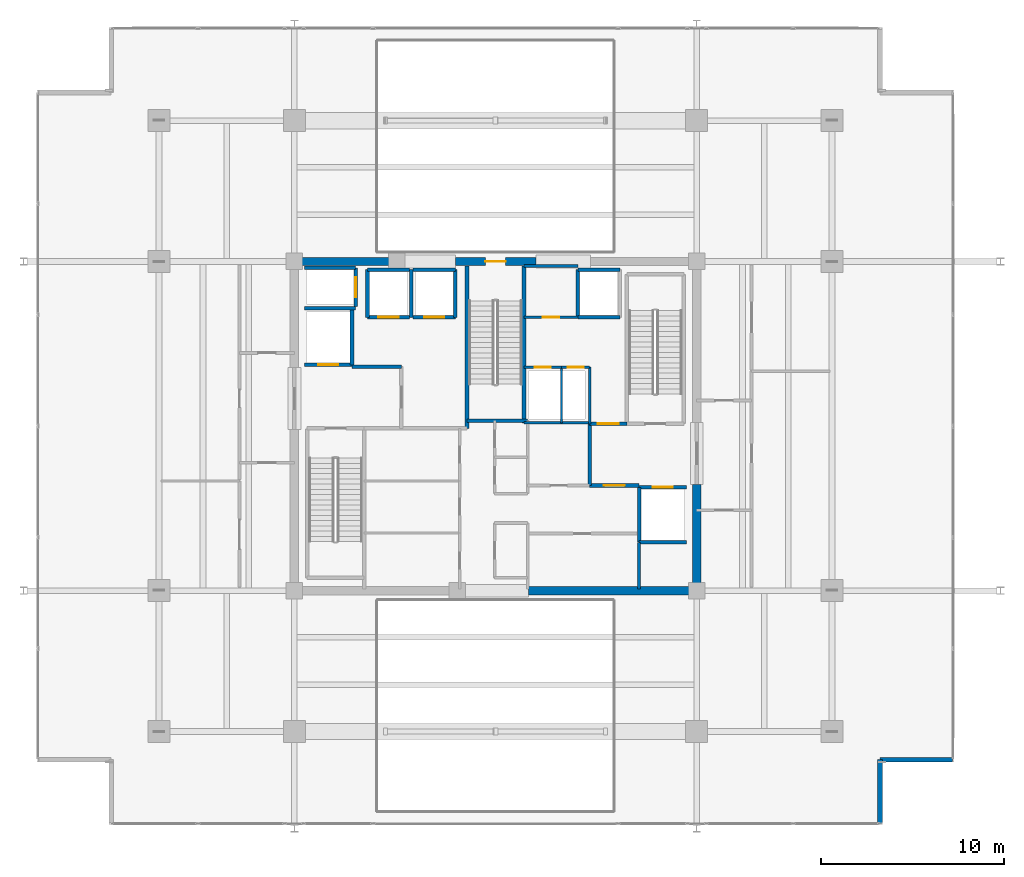
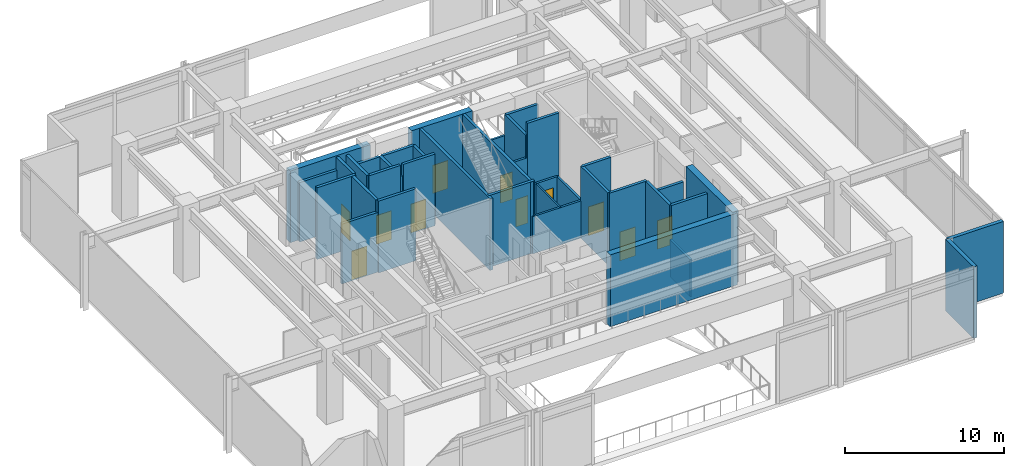
# One storey, part 22 of 25: 39 walls, 11 doors, 11 openings.
"""IFC4 building model written with IfcOpenShell, lengths in metres."""

from ifc_helpers import new_model, si_unit, direction, frame, frame_2d, origin, place, context, subcontext, project, spatial, rectangle, extrude, material, layer, layer_set, type_object, element, fill, save


model = new_model("IFC4")

# Units and contexts
model_context = context("Model", 3, precision=1e-05, world=origin(), true_north=direction((0.0, 1.0)))
body_context = subcontext(model_context, "Body", "Model", "MODEL_VIEW")
ifc_project = project(units=[si_unit("LENGTHUNIT", "METRE"), si_unit("AREAUNIT", "SQUARE_METRE"), si_unit("VOLUMEUNIT", "CUBIC_METRE"), si_unit("PLANEANGLEUNIT", "RADIAN"), si_unit("MASSUNIT", "GRAM", prefix="KILO")], contexts=[model_context])

# Site, building, storey
site_placement = place(None, origin())
site = spatial("IfcSite", under=ifc_project, at=site_placement, CompositionType="ELEMENT")
building_placement = place(site_placement, origin())
building = spatial("IfcBuilding", under=site, at=building_placement, Name="Kovane Verandah Tower", CompositionType="ELEMENT")
storey_placement = place(building_placement, frame((0.0, 0.0, 295.199951171875)))
storey = spatial("IfcBuildingStorey", under=building, at=storey_placement, Name="L69", CompositionType="ELEMENT", Elevation=295.199951171875)

# Walls
ifc_material_1 = material(Name="Fire-Rated Gypsum Stud Partition", Category="gypsum")
ifc_layer_1 = layer(ifc_material_1, 0.14990234375)
ifc_layer_set_1 = layer_set([ifc_layer_1], Name="Fire-Rated Gypsum Stud Partition")
wall_type_1 = type_object("IfcWallType", Name="WL-COR-150", PredefinedType="PARTITIONING", material=ifc_layer_set_1)
wall_1_placement = place(storey_placement, frame((41.56005859375, 27.679931640625, 0.0), z_axis=(0.0, 0.0, 1.0), x_axis=(1.0, 0.0, 0.0)))
element("IfcWall", 1, at=wall_1_placement, inside=storey, type_object=wall_type_1, Name="L69 East Core Service Riser South Wall", PredefinedType="PARTITIONING", context=body_context, shape_type="SweptSolid", body=[
    extrude(rectangle(XDim=3.58984375, YDim=0.14990234375, at=frame_2d((1.794921875, 0.0))), origin(), (0.0, 0.0, 1.0), 2.85009765625),
])
wall_2_placement = place(storey_placement, frame((47.85009765625, 18.60009765625, 0.0), z_axis=(0.0, 0.0, 1.0), x_axis=(0.0, 1.0, 0.0)))
element("IfcWall", 2, at=wall_2_placement, inside=storey, type_object=wall_type_1, Name="L69 East Core Support East Wall", PredefinedType="PARTITIONING", context=body_context, shape_type="SweptSolid", body=[
    extrude(rectangle(XDim=2.539794921875, YDim=0.14990234375, at=frame_2d((1.27001953125, 0.0))), origin(), (0.0, 0.0, 1.0), 2.85009765625),
])
wall_3_placement = place(storey_placement, frame((45.14990234375, 27.6201171875, 0.0), z_axis=(0.0, 0.0, 1.0), x_axis=(0.0, 1.0, 0.0)))
element("IfcWall", 3, at=wall_3_placement, inside=storey, type_object=wall_type_1, Name="L69 East Core Service Riser East Wall", PredefinedType="PARTITIONING", context=body_context, shape_type="SweptSolid", body=[
    extrude(rectangle(XDim=3.099853515625, YDim=0.14990234375, at=frame_2d((1.5498046875, 0.0))), origin(), (0.0, 0.0, 1.0), 2.85009765625),
])

# Wall, opening, door
wall_4_placement = place(storey_placement, frame((41.56005859375, 30.719970703125, 0.0), z_axis=(0.0, 0.0, 1.0), x_axis=(1.0, 0.0, 0.0)))
wall_4 = element("IfcWall", 4, at=wall_4_placement, inside=storey, type_object=wall_type_1, Name="L69 Electrical Sub-Main Riser Room Partition", PredefinedType="PARTITIONING", context=body_context, shape_type="SweptSolid", body=[
    extrude(rectangle(XDim=2.0400390625, YDim=0.14990234375, at=frame_2d((1.02001953125, 0.0))), origin(), (0.0, 0.0, 1.0), 2.85009765625),
])
opening_1_placement = place(wall_4_placement, frame((0.580078125, 0.0, 0.0)))
opening_1 = element("IfcOpeningElement", 5, at=opening_1_placement, cuts=wall_4, Name="Opening DR-L69-022", PredefinedType="OPENING", context=body_context, shape_type="SweptSolid", body=[
    extrude(rectangle(XDim=0.8798828125, YDim=2.10009765625, at=frame_2d((0.43994140625, 1.050048828125))), frame((0.0, 0.074951171875, 0.0), z_axis=(0.0, -1.0, 0.0), x_axis=(1.0, 0.0, 0.0)), (0.0, 0.0, 1.0), 0.14990234375),
])
ifc_material_2 = material(Name="Fire-Rated Steel Riser Access Door", Category="steel")
door_type_1 = type_object("IfcDoorType", Name="DR-RISER-880", OperationType="SINGLE_SWING_LEFT", PredefinedType="DOOR", material=ifc_material_2)
door_1_placement = place(opening_1_placement, origin())
door_1 = element("IfcDoor", 6, at=door_1_placement, inside=storey, type_object=door_type_1, Name="L69 Electrical Sub-Main Riser Room Door", OperationType="SINGLE_SWING_LEFT", OverallHeight=2.10009765625, OverallWidth=0.8798828125, PredefinedType="DOOR", context=body_context, shape_type="SweptSolid", body=[
    extrude(rectangle(XDim=0.8798828125, YDim=2.10009765625, at=frame_2d((0.43994140625, 1.050048828125))), frame((0.0, 0.02490234375, 0.0), z_axis=(0.0, -1.0, 0.0), x_axis=(1.0, 0.0, 0.0)), (0.0, 0.0, 1.0), 0.050048828125),
])
fill(opening_1, door_1)

wall_5_placement = place(storey_placement, frame((43.60009765625, 30.719970703125, 0.0), z_axis=(0.0, 0.0, 1.0), x_axis=(1.0, 0.0, 0.0)))
wall_5 = element("IfcWall", 7, at=wall_5_placement, inside=storey, type_object=wall_type_1, Name="L69 Sprinkler Wet Riser Room Partition", PredefinedType="PARTITIONING", context=body_context, shape_type="SweptSolid", body=[
    extrude(rectangle(XDim=1.5498046875, YDim=0.14990234375, at=frame_2d((0.77490234375, 0.0))), origin(), (0.0, 0.0, 1.0), 2.85009765625),
])
opening_2_placement = place(wall_5_placement, frame((0.3349609375, 0.0, 0.0)))
opening_2 = element("IfcOpeningElement", 8, at=opening_2_placement, cuts=wall_5, Name="Opening DR-L69-023", PredefinedType="OPENING", context=body_context, shape_type="SweptSolid", body=[
    extrude(rectangle(XDim=0.8798828125, YDim=2.10009765625, at=frame_2d((0.43994140625, 1.050048828125))), frame((0.0, 0.074951171875, 0.0), z_axis=(0.0, -1.0, 0.0), x_axis=(1.0, 0.0, 0.0)), (0.0, 0.0, 1.0), 0.14990234375),
])
door_2_placement = place(opening_2_placement, origin())
door_2 = element("IfcDoor", 9, at=door_2_placement, inside=storey, type_object=door_type_1, Name="L69 Sprinkler Wet Riser Room Door", OperationType="SINGLE_SWING_RIGHT", OverallHeight=2.10009765625, OverallWidth=0.8798828125, PredefinedType="DOOR", context=body_context, shape_type="SweptSolid", body=[
    extrude(rectangle(XDim=0.8798828125, YDim=2.10009765625, at=frame_2d((0.43994140625, 1.050048828125))), frame((0.0, 0.02490234375, 0.0), z_axis=(0.0, -1.0, 0.0), x_axis=(1.0, 0.0, 0.0)), (0.0, 0.0, 1.0), 0.050048828125),
])
fill(opening_2, door_2)

# Wall
wall_6_placement = place(storey_placement, frame((41.56005859375, 36.25, 0.0), z_axis=(0.0, 0.0, 1.0), x_axis=(1.0, 0.0, 0.0)))
element("IfcWall", 10, at=wall_6_placement, inside=storey, type_object=wall_type_1, Name="L69 Sky Telecom Riser North Wall", PredefinedType="PARTITIONING", context=body_context, shape_type="SweptSolid", body=[
    extrude(rectangle(XDim=2.93994140625, YDim=0.14990234375, at=frame_2d((1.469970703125, 0.0))), origin(), (0.0, 0.0, 1.0), 2.85009765625),
])

# Wall, opening, door
wall_7_placement = place(storey_placement, frame((41.56005859375, 33.449951171875, 0.0), z_axis=(0.0, 0.0, 1.0), x_axis=(1.0, 0.0, 0.0)))
wall_7 = element("IfcWall", 11, at=wall_7_placement, inside=storey, type_object=wall_type_1, Name="L69 Sky Telecom Riser Room Partition", PredefinedType="PARTITIONING", context=body_context, shape_type="SweptSolid", body=[
    extrude(rectangle(XDim=2.93994140625, YDim=0.14990234375, at=frame_2d((1.469970703125, 0.0))), origin(), (0.0, 0.0, 1.0), 2.85009765625),
])
opening_3_placement = place(wall_7_placement, frame((1.030029296875, 0.0, 0.0)))
opening_3 = element("IfcOpeningElement", 12, at=opening_3_placement, cuts=wall_7, Name="Opening DR-L69-021", PredefinedType="OPENING", context=body_context, shape_type="SweptSolid", body=[
    extrude(rectangle(XDim=0.8798828125, YDim=2.10009765625, at=frame_2d((0.43994140625, 1.050048828125))), frame((0.0, 0.074951171875, 0.0), z_axis=(0.0, -1.0, 0.0), x_axis=(1.0, 0.0, 0.0)), (0.0, 0.0, 1.0), 0.14990234375),
])
door_3_placement = place(opening_3_placement, origin())
door_3 = element("IfcDoor", 13, at=door_3_placement, inside=storey, type_object=door_type_1, Name="L69 Sky Telecom Riser Room Door", OperationType="SINGLE_SWING_LEFT", OverallHeight=2.10009765625, OverallWidth=0.8798828125, PredefinedType="DOOR", context=body_context, shape_type="SweptSolid", body=[
    extrude(rectangle(XDim=0.8798828125, YDim=2.10009765625, at=frame_2d((0.43994140625, 1.050048828125))), frame((0.0, 0.02490234375, 0.0), z_axis=(0.0, -1.0, 0.0), x_axis=(1.0, 0.0, 0.0)), (0.0, 0.0, 1.0), 0.050048828125),
])
fill(opening_3, door_3)

# Walls
ifc_material_3 = material(Name="Concrete C60/75", Category="concrete")
ifc_layer_2 = layer(ifc_material_3, 0.449951171875)
ifc_layer_set_2 = layer_set([ifc_layer_2], Name="Concrete C60/75")
wall_type_2 = type_object("IfcWallType", Name="WL-CORE-450", PredefinedType="SHEAR", material=ifc_layer_set_2)
wall_8_placement = place(storey_placement, frame((41.800048828125, 18.5, 0.0), z_axis=(0.0, 0.0, 1.0), x_axis=(1.0, 0.0, 0.0)))
element("IfcWall", 14, at=wall_8_placement, inside=storey, type_object=wall_type_2, Name="L69 Core Shear Wall CS-2", PredefinedType="SHEAR", context=body_context, shape_type="SweptSolid", body=[
    extrude(rectangle(XDim=9.199951171875, YDim=0.449951171875, at=frame_2d((4.60009765625, 0.0))), origin(), (0.0, 0.0, 1.0), 5.5),
])
wall_9_placement = place(storey_placement, frame((29.0, 36.5, 0.0), z_axis=(0.0, 0.0, 1.0), x_axis=(1.0, 0.0, 0.0)))
element("IfcWall", 15, at=wall_9_placement, inside=storey, type_object=wall_type_2, Name="L69 Core Shear Wall CN-1", PredefinedType="SHEAR", context=body_context, shape_type="SweptSolid", body=[
    extrude(rectangle(XDim=5.800048828125, YDim=0.449951171875, at=frame_2d((2.89990234375, 0.0))), origin(), (0.0, 0.0, 1.0), 5.5),
])

# Wall, opening, door
wall_10_placement = place(storey_placement, frame((37.800048828125, 36.5, 0.0), z_axis=(0.0, 0.0, 1.0), x_axis=(1.0, 0.0, 0.0)))
wall_10 = element("IfcWall", 16, at=wall_10_placement, inside=storey, type_object=wall_type_2, Name="L69 Core Shear Wall CN-2", PredefinedType="SHEAR", context=body_context, shape_type="SweptSolid", body=[
    extrude(rectangle(XDim=4.39990234375, YDim=0.449951171875, at=frame_2d((2.199951171875, 0.0))), origin(), (0.0, 0.0, 1.0), 5.5),
])
opening_4_placement = place(wall_10_placement, frame((1.64990234375, 0.0, 0.0)))
opening_4 = element("IfcOpeningElement", 17, at=opening_4_placement, cuts=wall_10, Name="Opening DR-L69-012", PredefinedType="OPENING", context=body_context, shape_type="SweptSolid", body=[
    extrude(rectangle(XDim=1.10009765625, YDim=2.14990234375, at=frame_2d((0.550048828125, 1.074951171875))), frame((0.0, 0.22509765625, 0.0), z_axis=(0.0, -1.0, 0.0), x_axis=(1.0, 0.0, 0.0)), (0.0, 0.0, 1.0), 0.449951171875),
])
ifc_material_4 = material(Name="Fire-Rated Steel Exit Door", Category="steel")
door_type_2 = type_object("IfcDoorType", Name="DR-STAIR-1100", OperationType="SINGLE_SWING_LEFT", PredefinedType="DOOR", material=ifc_material_4)
door_4_placement = place(opening_4_placement, origin())
door_4 = element("IfcDoor", 18, at=door_4_placement, inside=storey, type_object=door_type_2, Name="L69 ST-03 Fire Exit Stair Door", OperationType="SINGLE_SWING_RIGHT", OverallHeight=2.14990234375, OverallWidth=1.10009765625, PredefinedType="DOOR", context=body_context, shape_type="SweptSolid", body=[
    extrude(rectangle(XDim=1.10009765625, YDim=2.14990234375, at=frame_2d((0.550048828125, 1.074951171875))), frame((0.0, 0.02490234375, 0.0), z_axis=(0.0, -1.0, 0.0), x_axis=(1.0, 0.0, 0.0)), (0.0, 0.0, 1.0), 0.050048828125),
])
fill(opening_4, door_4)

# Walls
wall_11_placement = place(storey_placement, frame((51.0, 18.5, 0.0), z_axis=(0.0, 0.0, 1.0), x_axis=(0.0, 1.0, 0.0)))
element("IfcWall", 19, at=wall_11_placement, inside=storey, type_object=wall_type_2, Name="L69 Core Shear Wall CE-1", PredefinedType="SHEAR", context=body_context, shape_type="SweptSolid", body=[
    extrude(rectangle(XDim=5.800048828125, YDim=0.449951171875, at=frame_2d((2.89990234375, 0.0))), origin(), (0.0, 0.0, 1.0), 5.5),
])
ifc_material_5 = material(Name="Concrete C45/55 Fire Wall", Category="concrete")
ifc_layer_3 = layer(ifc_material_5, 0.199951171875)
ifc_layer_set_3 = layer_set([ifc_layer_3], Name="Concrete C45/55 Fire Wall")
wall_type_3 = type_object("IfcWallType", Name="WL-FFL-200", PredefinedType="PARTITIONING", material=ifc_layer_set_3)
wall_12_placement = place(storey_placement, frame((32.14990234375, 30.75, 0.0), z_axis=(0.0, 0.0, 1.0), x_axis=(1.0, 0.0, 0.0)))
element("IfcWall", 20, at=wall_12_placement, inside=storey, type_object=wall_type_3, Name="L69 West Firefighting Lobby North Fire Wall", PredefinedType="PARTITIONING", context=body_context, shape_type="SweptSolid", body=[
    extrude(rectangle(XDim=2.7001953125, YDim=0.199951171875, at=frame_2d((1.35009765625, 0.0))), origin(), (0.0, 0.0, 1.0), 5.5),
])
wall_13_placement = place(storey_placement, frame((45.14990234375, 24.25, 0.0), z_axis=(0.0, 0.0, 1.0), x_axis=(0.0, 1.0, 0.0)))
element("IfcWall", 21, at=wall_13_placement, inside=storey, type_object=wall_type_3, Name="L69 East Firefighting Lobby West Fire Wall", PredefinedType="PARTITIONING", context=body_context, shape_type="SweptSolid", body=[
    extrude(rectangle(XDim=3.3701171875, YDim=0.199951171875, at=frame_2d((1.68505859375, 0.0))), origin(), (0.0, 0.0, 1.0), 5.5),
])

# Wall, opening, door
wall_14_placement = place(storey_placement, frame((45.14990234375, 24.25, 0.0), z_axis=(0.0, 0.0, 1.0), x_axis=(1.0, 0.0, 0.0)))
wall_14 = element("IfcWall", 22, at=wall_14_placement, inside=storey, type_object=wall_type_3, Name="W-L69-FFLE-S", PredefinedType="PARTITIONING", context=body_context, shape_type="SweptSolid", body=[
    extrude(rectangle(XDim=2.7001953125, YDim=0.199951171875, at=frame_2d((1.35009765625, 0.0))), origin(), (0.0, 0.0, 1.0), 5.5),
])
opening_5_placement = place(wall_14_placement, frame((0.77490234375, 0.0, 0.0)))
opening_5 = element("IfcOpeningElement", 23, at=opening_5_placement, cuts=wall_14, Name="Opening DR-L69-001", PredefinedType="OPENING", context=body_context, shape_type="SweptSolid", body=[
    extrude(rectangle(XDim=1.14990234375, YDim=2.199951171875, at=frame_2d((0.574951171875, 1.10009765625))), frame((0.0, 0.10009765625, 0.0), z_axis=(0.0, -1.0, 0.0), x_axis=(1.0, 0.0, 0.0)), (0.0, 0.0, 1.0), 0.199951171875),
])
ifc_material_6 = material(Name="Smoke-Sealed Firefighting Lobby Door", Category="steel")
door_type_3 = type_object("IfcDoorType", Name="DR-FFL-1150", OperationType="SINGLE_SWING_LEFT", PredefinedType="DOOR", material=ifc_material_6)
door_5_placement = place(opening_5_placement, origin())
door_5 = element("IfcDoor", 24, at=door_5_placement, inside=storey, type_object=door_type_3, Name="L69 East Firefighting Lobby Inner Door", OperationType="SINGLE_SWING_RIGHT", OverallHeight=2.199951171875, OverallWidth=1.14990234375, PredefinedType="DOOR", context=body_context, shape_type="SweptSolid", body=[
    extrude(rectangle(XDim=1.14990234375, YDim=2.199951171875, at=frame_2d((0.574951171875, 1.10009765625))), frame((0.0, 0.02490234375, 0.0), z_axis=(0.0, -1.0, 0.0), x_axis=(1.0, 0.0, 0.0)), (0.0, 0.0, 1.0), 0.050048828125),
])
fill(opening_5, door_5)

wall_15_placement = place(storey_placement, frame((45.14990234375, 27.6201171875, 0.0), z_axis=(0.0, 0.0, 1.0), x_axis=(1.0, 0.0, 0.0)))
wall_15 = element("IfcWall", 25, at=wall_15_placement, inside=storey, type_object=wall_type_3, Name="W-L69-FFLE-N", PredefinedType="PARTITIONING", context=body_context, shape_type="SweptSolid", body=[
    extrude(rectangle(XDim=2.030029296875, YDim=0.199951171875, at=frame_2d((1.01513671875, 0.0))), origin(), (0.0, 0.0, 1.0), 5.5),
])
opening_6_placement = place(wall_15_placement, frame((0.43994140625, 0.0, 0.0)))
opening_6 = element("IfcOpeningElement", 26, at=opening_6_placement, cuts=wall_15, Name="Opening DR-L69-002", PredefinedType="OPENING", context=body_context, shape_type="SweptSolid", body=[
    extrude(rectangle(XDim=1.14990234375, YDim=2.199951171875, at=frame_2d((0.574951171875, 1.10009765625))), frame((0.0, 0.10009765625, 0.0), z_axis=(0.0, -1.0, 0.0), x_axis=(1.0, 0.0, 0.0)), (0.0, 0.0, 1.0), 0.199951171875),
])
door_6_placement = place(opening_6_placement, origin())
door_6 = element("IfcDoor", 27, at=door_6_placement, inside=storey, type_object=door_type_3, Name="L69 East Firefighting Lobby Shuttle Link Door", OperationType="SINGLE_SWING_LEFT", OverallHeight=2.199951171875, OverallWidth=1.14990234375, PredefinedType="DOOR", context=body_context, shape_type="SweptSolid", body=[
    extrude(rectangle(XDim=1.14990234375, YDim=2.199951171875, at=frame_2d((0.574951171875, 1.10009765625))), frame((0.0, 0.02490234375, 0.0), z_axis=(0.0, -1.0, 0.0), x_axis=(1.0, 0.0, 0.0)), (0.0, 0.0, 1.0), 0.050048828125),
])
fill(opening_6, door_6)

ifc_material_7 = material(Name="Concrete C45/55 Lift Shaft Wall", Category="concrete")
ifc_layer_4 = layer(ifc_material_7, 0.199951171875)
ifc_layer_set_4 = layer_set([ifc_layer_4], Name="Concrete C45/55 Lift Shaft Wall")
wall_type_4 = type_object("IfcWallType", Name="WL-LIFT-200", PredefinedType="SOLIDWALL", material=ifc_layer_set_4)
wall_16_placement = place(storey_placement, frame((29.550048828125, 30.85009765625, 0.0), z_axis=(0.0, 0.0, 1.0), x_axis=(1.0, 0.0, 0.0)))
wall_16 = element("IfcWall", 28, at=wall_16_placement, inside=storey, type_object=wall_type_4, Name="L69 Lift FL-01 S Shaft Wall", PredefinedType="SOLIDWALL", context=body_context, shape_type="SweptSolid", body=[
    extrude(rectangle(XDim=2.599853515625, YDim=0.199951171875, at=frame_2d((1.2998046875, 0.0))), origin(), (0.0, 0.0, 1.0), 4.580078125),
])
opening_7_placement = place(wall_16_placement, frame((0.75, 0.0, 0.0)))
opening_7 = element("IfcOpeningElement", 29, at=opening_7_placement, cuts=wall_16, Name="Opening LD-L69-001", PredefinedType="OPENING", context=body_context, shape_type="SweptSolid", body=[
    extrude(rectangle(XDim=1.10009765625, YDim=2.199951171875, at=frame_2d((0.550048828125, 1.10009765625))), frame((0.0, 0.10009765625, 0.0), z_axis=(0.0, -1.0, 0.0), x_axis=(1.0, 0.0, 0.0)), (0.0, 0.0, 1.0), 0.199951171875),
])
ifc_material_8 = material(Name="Brushed Stainless Steel Sliding Lift Landing Door", Category="steel")
door_type_4 = type_object("IfcDoorType", Name="DR-LIFT-1100", OperationType="SLIDING_TO_RIGHT", PredefinedType="DOOR", material=ifc_material_8)
door_7_placement = place(opening_7_placement, origin())
door_7 = element("IfcDoor", 30, at=door_7_placement, inside=storey, type_object=door_type_4, Name="L69 Lift FL-01 Sliding Landing Door", OperationType="SLIDING_TO_RIGHT", OverallHeight=2.199951171875, OverallWidth=1.10009765625, PredefinedType="DOOR", context=body_context, shape_type="SweptSolid", body=[
    extrude(rectangle(XDim=1.10009765625, YDim=2.199951171875, at=frame_2d((0.550048828125, 1.10009765625))), frame((0.0, 0.02490234375, 0.0), z_axis=(0.0, -1.0, 0.0), x_axis=(1.0, 0.0, 0.0)), (0.0, 0.0, 1.0), 0.050048828125),
])
fill(opening_7, door_7)

# Walls
wall_17_placement = place(storey_placement, frame((29.550048828125, 33.949951171875, 0.0), z_axis=(0.0, 0.0, 1.0), x_axis=(1.0, 0.0, 0.0)))
element("IfcWall", 31, at=wall_17_placement, inside=storey, type_object=wall_type_4, Name="L69 Lift FL-01 and GL-01 Shared Shaft Wall", PredefinedType="SOLIDWALL", context=body_context, shape_type="SweptSolid", body=[
    extrude(rectangle(XDim=2.800048828125, YDim=0.199951171875, at=frame_2d((1.39990234375, 0.0))), origin(), (0.0, 0.0, 1.0), 5.5),
])
wall_18_placement = place(storey_placement, frame((32.14990234375, 30.85009765625, 0.0), z_axis=(0.0, 0.0, 1.0), x_axis=(0.0, 1.0, 0.0)))
element("IfcWall", 32, at=wall_18_placement, inside=storey, type_object=wall_type_4, Name="L69 Lift FL-01 E Shaft Wall", PredefinedType="SOLIDWALL", context=body_context, shape_type="SweptSolid", body=[
    extrude(rectangle(XDim=3.0, YDim=0.199951171875, at=frame_2d((1.5, 0.0))), origin(), (0.0, 0.0, 1.0), 5.5),
])
wall_19_placement = place(storey_placement, frame((47.85009765625, 21.14990234375, 0.0), z_axis=(0.0, 0.0, 1.0), x_axis=(1.0, 0.0, 0.0)))
element("IfcWall", 33, at=wall_19_placement, inside=storey, type_object=wall_type_4, Name="L69 Lift FL-02 S Shaft Wall", PredefinedType="SOLIDWALL", context=body_context, shape_type="SweptSolid", body=[
    extrude(rectangle(XDim=2.599853515625, YDim=0.199951171875, at=frame_2d((1.2998046875, 0.0))), origin(), (0.0, 0.0, 1.0), 5.5),
])

# Wall, opening, door
wall_20_placement = place(storey_placement, frame((50.449951171875, 24.14990234375, 0.0), z_axis=(0.0, 0.0, 1.0), x_axis=(-1.0, 0.0, 0.0)))
wall_20 = element("IfcWall", 34, at=wall_20_placement, inside=storey, type_object=wall_type_4, Name="L69 Lift FL-02 N Shaft Wall", PredefinedType="SOLIDWALL", context=body_context, shape_type="SweptSolid", body=[
    extrude(rectangle(XDim=2.599853515625, YDim=0.199951171875, at=frame_2d((1.2998046875, 0.0))), origin(), (0.0, 0.0, 1.0), 4.580078125),
])
opening_8_placement = place(wall_20_placement, frame((0.75, 0.0, 0.0)))
opening_8 = element("IfcOpeningElement", 35, at=opening_8_placement, cuts=wall_20, Name="Opening LD-L69-002", PredefinedType="OPENING", context=body_context, shape_type="SweptSolid", body=[
    extrude(rectangle(XDim=1.10009765625, YDim=2.199951171875, at=frame_2d((0.550048828125, 1.10009765625))), frame((0.0, 0.10009765625, 0.0), z_axis=(0.0, -1.0, 0.0), x_axis=(1.0, 0.0, 0.0)), (0.0, 0.0, 1.0), 0.199951171875),
])
door_8_placement = place(opening_8_placement, origin())
door_8 = element("IfcDoor", 36, at=door_8_placement, inside=storey, type_object=door_type_4, Name="L69 Lift FL-02 Sliding Landing Door", OperationType="SLIDING_TO_RIGHT", OverallHeight=2.199951171875, OverallWidth=1.10009765625, PredefinedType="DOOR", context=body_context, shape_type="SweptSolid", body=[
    extrude(rectangle(XDim=1.10009765625, YDim=2.199951171875, at=frame_2d((0.550048828125, 1.10009765625))), frame((0.0, 0.02490234375, 0.0), z_axis=(0.0, -1.0, 0.0), x_axis=(1.0, 0.0, 0.0)), (0.0, 0.0, 1.0), 0.050048828125),
])
fill(opening_8, door_8)

# Walls
wall_21_placement = place(storey_placement, frame((47.85009765625, 24.14990234375, 0.0), z_axis=(0.0, 0.0, 1.0), x_axis=(0.0, -1.0, 0.0)))
element("IfcWall", 37, at=wall_21_placement, inside=storey, type_object=wall_type_4, Name="L69 Lift FL-02 W Shaft Wall", PredefinedType="SOLIDWALL", context=body_context, shape_type="SweptSolid", body=[
    extrude(rectangle(XDim=3.0, YDim=0.199951171875, at=frame_2d((1.5, 0.0))), origin(), (0.0, 0.0, 1.0), 5.5),
])
wall_22_placement = place(storey_placement, frame((32.35009765625, 36.14990234375, 0.0), z_axis=(0.0, 0.0, 1.0), x_axis=(-1.0, 0.0, 0.0)))
element("IfcWall", 38, at=wall_22_placement, inside=storey, type_object=wall_type_4, Name="L69 Lift GL-01 N Shaft Wall", PredefinedType="SOLIDWALL", context=body_context, shape_type="SweptSolid", body=[
    extrude(rectangle(XDim=2.800048828125, YDim=0.199951171875, at=frame_2d((1.39990234375, 0.0))), origin(), (0.0, 0.0, 1.0), 4.553466796875),
])

# Wall, opening, door
wall_23_placement = place(storey_placement, frame((32.35009765625, 34.050048828125, 0.0), z_axis=(0.0, 0.0, 1.0), x_axis=(0.0, 1.0, 0.0)))
wall_23 = element("IfcWall", 39, at=wall_23_placement, inside=storey, type_object=wall_type_4, Name="L69 Lift GL-01 E Shaft Wall", PredefinedType="SOLIDWALL", context=body_context, shape_type="SweptSolid", body=[
    extrude(rectangle(XDim=2.099853515625, YDim=0.199951171875, at=frame_2d((1.0498046875, 0.0))), origin(), (0.0, 0.0, 1.0), 5.5),
])
opening_9_placement = place(wall_23_placement, frame((0.5, 0.0, 0.0)))
opening_9 = element("IfcOpeningElement", 40, at=opening_9_placement, cuts=wall_23, Name="Opening LD-L69-003", PredefinedType="OPENING", context=body_context, shape_type="SweptSolid", body=[
    extrude(rectangle(XDim=1.10009765625, YDim=2.199951171875, at=frame_2d((0.550048828125, 1.10009765625))), frame((0.0, 0.10009765625, 0.0), z_axis=(0.0, -1.0, 0.0), x_axis=(1.0, 0.0, 0.0)), (0.0, 0.0, 1.0), 0.199951171875),
])
door_9_placement = place(opening_9_placement, origin())
door_9 = element("IfcDoor", 41, at=door_9_placement, inside=storey, type_object=door_type_4, Name="L69 Lift GL-01 Sliding Landing Door", OperationType="SLIDING_TO_RIGHT", OverallHeight=2.199951171875, OverallWidth=1.10009765625, PredefinedType="DOOR", context=body_context, shape_type="SweptSolid", body=[
    extrude(rectangle(XDim=1.10009765625, YDim=2.199951171875, at=frame_2d((0.550048828125, 1.10009765625))), frame((0.0, 0.02490234375, 0.0), z_axis=(0.0, -1.0, 0.0), x_axis=(1.0, 0.0, 0.0)), (0.0, 0.0, 1.0), 0.050048828125),
])
fill(opening_9, door_9)

wall_24_placement = place(storey_placement, frame((33.0, 33.449951171875, 0.0), z_axis=(0.0, 0.0, 1.0), x_axis=(1.0, 0.0, 0.0)))
wall_24 = element("IfcWall", 42, at=wall_24_placement, inside=storey, type_object=wall_type_4, Name="L69 Lift PL-H1 S Shaft Wall", PredefinedType="SOLIDWALL", context=body_context, shape_type="SweptSolid", body=[
    extrude(rectangle(XDim=2.300048828125, YDim=0.199951171875, at=frame_2d((1.14990234375, 0.0))), origin(), (0.0, 0.0, 1.0), 5.5),
])
opening_10_placement = place(wall_24_placement, frame((0.60009765625, 0.0, 0.0)))
opening_10 = element("IfcOpeningElement", 43, at=opening_10_placement, cuts=wall_24, Name="Opening LD-L69-004", PredefinedType="OPENING", context=body_context, shape_type="SweptSolid", body=[
    extrude(rectangle(XDim=1.10009765625, YDim=2.199951171875, at=frame_2d((0.550048828125, 1.10009765625))), frame((0.0, 0.10009765625, 0.0), z_axis=(0.0, -1.0, 0.0), x_axis=(1.0, 0.0, 0.0)), (0.0, 0.0, 1.0), 0.199951171875),
])
door_10_placement = place(opening_10_placement, origin())
door_10 = element("IfcDoor", 44, at=door_10_placement, inside=storey, type_object=door_type_4, Name="L69 Lift PL-H1 Sliding Landing Door", OperationType="SLIDING_TO_RIGHT", OverallHeight=2.199951171875, OverallWidth=1.10009765625, PredefinedType="DOOR", context=body_context, shape_type="SweptSolid", body=[
    extrude(rectangle(XDim=1.10009765625, YDim=2.199951171875, at=frame_2d((0.550048828125, 1.10009765625))), frame((0.0, 0.02490234375, 0.0), z_axis=(0.0, -1.0, 0.0), x_axis=(1.0, 0.0, 0.0)), (0.0, 0.0, 1.0), 0.050048828125),
])
fill(opening_10, door_10)

# Walls
wall_25_placement = place(storey_placement, frame((35.300048828125, 36.050048828125, 0.0), z_axis=(0.0, 0.0, 1.0), x_axis=(-1.0, 0.0, 0.0)))
element("IfcWall", 45, at=wall_25_placement, inside=storey, type_object=wall_type_4, Name="L69 Lift PL-H1 N Shaft Wall", PredefinedType="SOLIDWALL", context=body_context, shape_type="SweptSolid", body=[
    extrude(rectangle(XDim=2.300048828125, YDim=0.199951171875, at=frame_2d((1.14990234375, 0.0))), origin(), (0.0, 0.0, 1.0), 4.580078125),
])
wall_26_placement = place(storey_placement, frame((33.0, 36.050048828125, 0.0), z_axis=(0.0, 0.0, 1.0), x_axis=(0.0, -1.0, 0.0)))
element("IfcWall", 46, at=wall_26_placement, inside=storey, type_object=wall_type_4, Name="L69 Lift PL-H1 W Shaft Wall", PredefinedType="SOLIDWALL", context=body_context, shape_type="SweptSolid", body=[
    extrude(rectangle(XDim=2.60009765625, YDim=0.199951171875, at=frame_2d((1.300048828125, 0.0))), origin(), (0.0, 0.0, 1.0), 5.5),
])
wall_27_placement = place(storey_placement, frame((35.39990234375, 33.449951171875, 0.0), z_axis=(0.0, 0.0, 1.0), x_axis=(0.0, 1.0, 0.0)))
element("IfcWall", 47, at=wall_27_placement, inside=storey, type_object=wall_type_4, Name="L69 Lift PL-H1 and PL-H2 Shared Shaft Wall", PredefinedType="SOLIDWALL", context=body_context, shape_type="SweptSolid", body=[
    extrude(rectangle(XDim=2.60009765625, YDim=0.199951171875, at=frame_2d((1.300048828125, 0.0))), origin(), (0.0, 0.0, 1.0), 4.580078125),
])

# Wall, opening, door
wall_28_placement = place(storey_placement, frame((35.5, 33.449951171875, 0.0), z_axis=(0.0, 0.0, 1.0), x_axis=(1.0, 0.0, 0.0)))
wall_28 = element("IfcWall", 48, at=wall_28_placement, inside=storey, type_object=wall_type_4, Name="L69 Lift PL-H2 S Shaft Wall", PredefinedType="SOLIDWALL", context=body_context, shape_type="SweptSolid", body=[
    extrude(rectangle(XDim=2.300048828125, YDim=0.199951171875, at=frame_2d((1.14990234375, 0.0))), origin(), (0.0, 0.0, 1.0), 5.5),
])
opening_11_placement = place(wall_28_placement, frame((0.60009765625, 0.0, 0.0)))
opening_11 = element("IfcOpeningElement", 49, at=opening_11_placement, cuts=wall_28, Name="Opening LD-L69-005", PredefinedType="OPENING", context=body_context, shape_type="SweptSolid", body=[
    extrude(rectangle(XDim=1.10009765625, YDim=2.199951171875, at=frame_2d((0.550048828125, 1.10009765625))), frame((0.0, 0.10009765625, 0.0), z_axis=(0.0, -1.0, 0.0), x_axis=(1.0, 0.0, 0.0)), (0.0, 0.0, 1.0), 0.199951171875),
])
door_11_placement = place(opening_11_placement, origin())
door_11 = element("IfcDoor", 50, at=door_11_placement, inside=storey, type_object=door_type_4, Name="L69 Lift PL-H2 Sliding Landing Door", OperationType="SLIDING_TO_RIGHT", OverallHeight=2.199951171875, OverallWidth=1.10009765625, PredefinedType="DOOR", context=body_context, shape_type="SweptSolid", body=[
    extrude(rectangle(XDim=1.10009765625, YDim=2.199951171875, at=frame_2d((0.550048828125, 1.10009765625))), frame((0.0, 0.02490234375, 0.0), z_axis=(0.0, -1.0, 0.0), x_axis=(1.0, 0.0, 0.0)), (0.0, 0.0, 1.0), 0.050048828125),
])
fill(opening_11, door_11)

# Walls
wall_29_placement = place(storey_placement, frame((37.800048828125, 36.050048828125, 0.0), z_axis=(0.0, 0.0, 1.0), x_axis=(-1.0, 0.0, 0.0)))
element("IfcWall", 51, at=wall_29_placement, inside=storey, type_object=wall_type_4, Name="L69 Lift PL-H2 N Shaft Wall", PredefinedType="SOLIDWALL", context=body_context, shape_type="SweptSolid", body=[
    extrude(rectangle(XDim=2.300048828125, YDim=0.199951171875, at=frame_2d((1.14990234375, 0.0))), origin(), (0.0, 0.0, 1.0), 4.580078125),
])
wall_30_placement = place(storey_placement, frame((37.800048828125, 33.449951171875, 0.0), z_axis=(0.0, 0.0, 1.0), x_axis=(0.0, 1.0, 0.0)))
element("IfcWall", 52, at=wall_30_placement, inside=storey, type_object=wall_type_4, Name="L69 Lift PL-H2 E Shaft Wall", PredefinedType="SOLIDWALL", context=body_context, shape_type="SweptSolid", body=[
    extrude(rectangle(XDim=2.60009765625, YDim=0.199951171875, at=frame_2d((1.300048828125, 0.0))), origin(), (0.0, 0.0, 1.0), 4.580078125),
])
wall_31_placement = place(storey_placement, frame((44.5, 33.449951171875, 0.0), z_axis=(0.0, 0.0, 1.0), x_axis=(1.0, 0.0, 0.0)))
element("IfcWall", 53, at=wall_31_placement, inside=storey, type_object=wall_type_4, Name="L69 Lift OL-01 S Shaft Wall", PredefinedType="SOLIDWALL", context=body_context, shape_type="SweptSolid", body=[
    extrude(rectangle(XDim=2.300048828125, YDim=0.199951171875, at=frame_2d((1.14990234375, 0.0))), origin(), (0.0, 0.0, 1.0), 5.5),
])
wall_32_placement = place(storey_placement, frame((46.800048828125, 36.050048828125, 0.0), z_axis=(0.0, 0.0, 1.0), x_axis=(-1.0, 0.0, 0.0)))
element("IfcWall", 54, at=wall_32_placement, inside=storey, type_object=wall_type_4, Name="L69 Lift OL-01 N Shaft Wall", PredefinedType="SOLIDWALL", context=body_context, shape_type="SweptSolid", body=[
    extrude(rectangle(XDim=2.300048828125, YDim=0.199951171875, at=frame_2d((1.14990234375, 0.0))), origin(), (0.0, 0.0, 1.0), 4.580078125),
])
wall_33_placement = place(storey_placement, frame((44.5, 36.050048828125, 0.0), z_axis=(0.0, 0.0, 1.0), x_axis=(0.0, -1.0, 0.0)))
element("IfcWall", 55, at=wall_33_placement, inside=storey, type_object=wall_type_4, Name="L69 Lift OL-01 W Shaft Wall", PredefinedType="SOLIDWALL", context=body_context, shape_type="SweptSolid", body=[
    extrude(rectangle(XDim=2.60009765625, YDim=0.199951171875, at=frame_2d((1.300048828125, 0.0))), origin(), (0.0, 0.0, 1.0), 4.580078125),
])
ifc_material_9 = material(Name="Acoustic Fire-Rated Gypsum Partition", Category="gypsum")
ifc_layer_5 = layer(ifc_material_9, 0.1201171875)
ifc_layer_set_5 = layer_set([ifc_layer_5], Name="Acoustic Fire-Rated Gypsum Partition")
wall_type_5 = type_object("IfcWallType", Name="WL-PART-120", PredefinedType="PARTITIONING", material=ifc_layer_set_5)
wall_34_placement = place(storey_placement, frame((43.60009765625, 27.679931640625, 0.0), z_axis=(0.0, 0.0, 1.0), x_axis=(0.0, 1.0, 0.0)))
element("IfcWall", 56, at=wall_34_placement, inside=storey, type_object=wall_type_5, Name="L69 Service Riser Dividing Partition", PredefinedType="PARTITIONING", context=body_context, shape_type="SweptSolid", body=[
    extrude(rectangle(XDim=3.0400390625, YDim=0.1201171875, at=frame_2d((1.52001953125, 0.0))), origin(), (0.0, 0.0, 1.0), 2.85009765625),
])
ifc_material_10 = material(Name="Concrete C45/55", Category="concrete")
ifc_layer_6 = layer(ifc_material_10, 0.199951171875)
ifc_layer_set_6 = layer_set([ifc_layer_6], Name="Concrete C45/55")
wall_type_6 = type_object("IfcWallType", Name="WL-SHAFT-200", PredefinedType="SOLIDWALL", material=ifc_layer_set_6)
wall_35_placement = place(storey_placement, frame((38.43994140625, 27.3798828125, 0.0), z_axis=(0.0, 0.0, 1.0), x_axis=(0.0, 1.0, 0.0)))
element("IfcWall", 57, at=wall_35_placement, inside=storey, type_object=wall_type_6, Name="W-L69-ST03-W", PredefinedType="SOLIDWALL", context=body_context, shape_type="SweptSolid", body=[
    extrude(rectangle(XDim=8.8701171875, YDim=0.199951171875, at=frame_2d((4.43505859375, 0.0))), origin(), (0.0, 0.0, 1.0), 5.5),
])
wall_36_placement = place(storey_placement, frame((41.56005859375, 27.679931640625, 0.0), z_axis=(0.0, 0.0, 1.0), x_axis=(0.0, 1.0, 0.0)))
element("IfcWall", 58, at=wall_36_placement, inside=storey, type_object=wall_type_6, Name="W-L69-ST03-E", PredefinedType="SOLIDWALL", context=body_context, shape_type="SweptSolid", body=[
    extrude(rectangle(XDim=8.570068359375, YDim=0.199951171875, at=frame_2d((4.28515625, 0.0))), origin(), (0.0, 0.0, 1.0), 5.5),
])
wall_37_placement = place(storey_placement, frame((38.43994140625, 27.800048828125, 0.0), z_axis=(0.0, 0.0, 1.0), x_axis=(1.0, 0.0, 0.0)))
element("IfcWall", 59, at=wall_37_placement, inside=storey, type_object=wall_type_6, Name="W-L69-ST03-S", PredefinedType="SOLIDWALL", context=body_context, shape_type="SweptSolid", body=[
    extrude(rectangle(XDim=3.320068359375, YDim=0.199951171875, at=frame_2d((1.66015625, 0.0))), origin(), (0.0, 0.0, 1.0), 5.5),
])
ifc_material_11 = material(Name="Concrete C45/55 Insulated Spandrel Wall", Category="concrete")
ifc_layer_7 = layer(ifc_material_11, 0.260009765625)
ifc_layer_set_7 = layer_set([ifc_layer_7], Name="Concrete C45/55 Insulated Spandrel Wall")
wall_type_7 = type_object("IfcWallType", Name="WL-SPANDREL-260", PredefinedType="PARAPET", material=ifc_layer_set_7)
wall_38_placement = place(storey_placement, frame((61.017822265625, 5.75830078125, 0.0), z_axis=(0.0, 0.0, 1.0), x_axis=(0.0, 1.0, 0.0)))
element("IfcWall", 60, at=wall_38_placement, inside=storey, type_object=wall_type_7, Name="L69 SE Notch Cheek Wall 1", PredefinedType="PARAPET", context=body_context, shape_type="SweptSolid", body=[
    extrude(rectangle(XDim=3.5, YDim=0.260009765625, at=frame_2d((1.75, 0.0))), origin(), (0.0, 0.0, 1.0), 5.5),
])
wall_39_placement = place(storey_placement, frame((61.017822265625, 9.25830078125, 0.0), z_axis=(0.0, 0.0, 1.0), x_axis=(1.0, 0.0, 0.0)))
element("IfcWall", 61, at=wall_39_placement, inside=storey, type_object=wall_type_7, Name="L69 SE Notch Cheek Wall 2", PredefinedType="PARAPET", context=body_context, shape_type="SweptSolid", body=[
    extrude(rectangle(XDim=4.0, YDim=0.260009765625, at=frame_2d((2.0, 0.0))), origin(), (0.0, 0.0, 1.0), 5.5),
])

save(model, "model.ifc")
